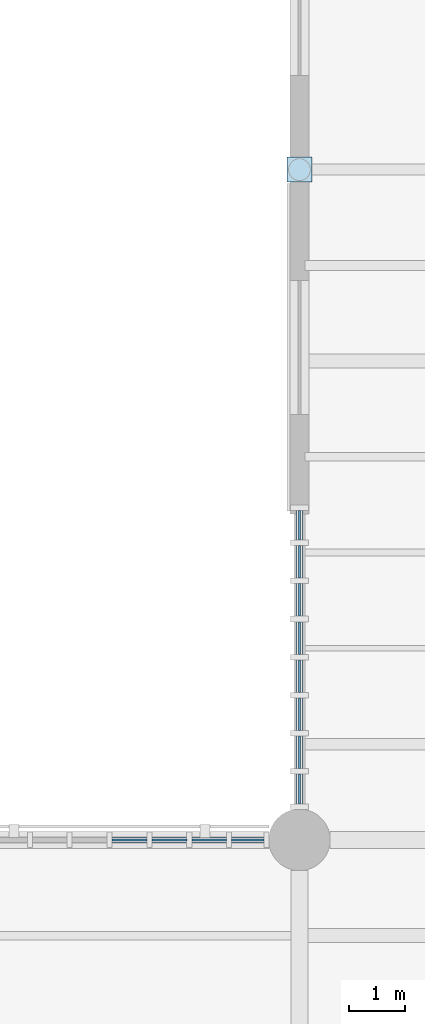
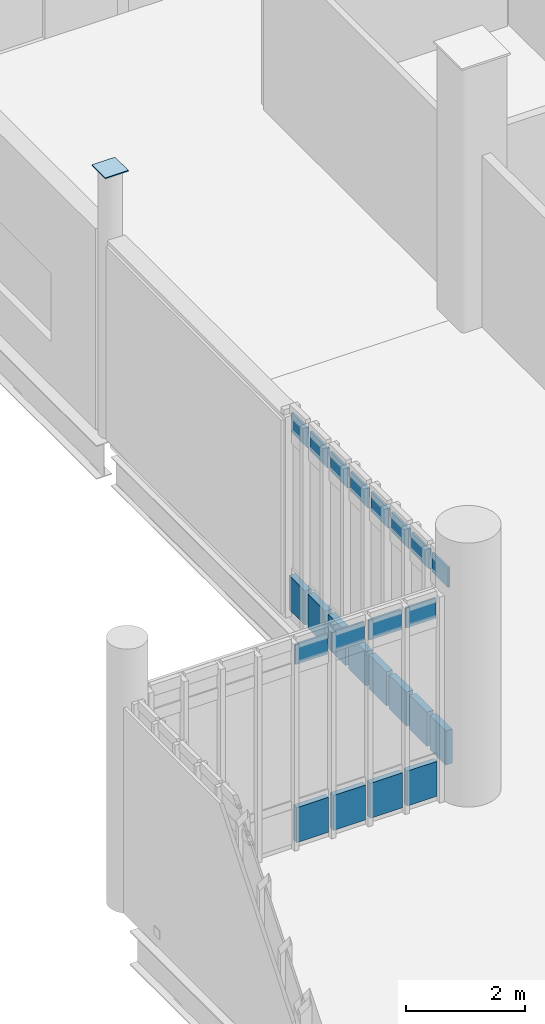
# One storey, part 97 of 135: 25 plates, 2 elements without a shape of their own.
"""IFC4 building model written with IfcOpenShell, lengths in metres."""

import ifcopenshell
import ifcopenshell.guid

model = None  # the IFC model being written
_history = None  # IfcOwnerHistory: only IFC2X3 demands one
_inside = {}  # id of a spatial element -> (the spatial element, [elements in it])
_under = {}  # id of a project, library or spatial element -> (it, [spatial elements below it])
_declared = {}  # id of a project -> (the project, [libraries it declares])
_typed = {}  # id of a type object -> (the type object, [elements of that type])
_made_of = {}  # id of a material, layer set ... -> (it, [elements and type objects made of it])


def new_model(schema):
    """Start an empty IFC model of exactly this schema.

    Asked for "IFC4X3", IfcOpenShell would pick the latest addendum, in which some entities
    have other attributes; the version numbers below select the first issue.
    IFC2X3 requires an IfcOwnerHistory on every rooted entity: one is made here for all.
    """
    global model, _history
    if schema == "IFC4X3":
        model = ifcopenshell.file(schema_version=(4, 3, 0, 0))
    else:
        model = ifcopenshell.file(schema=schema)
    _inside.clear()
    _under.clear()
    _declared.clear()
    _typed.clear()
    _made_of.clear()
    _history = None
    if model.schema == "IFC2X3":
        org = make("IfcOrganization", Name="unknown")
        user = make(
            "IfcPersonAndOrganization",
            ThePerson=make("IfcPerson", FamilyName="unknown"),
            TheOrganization=org,
        )
        app = make(
            "IfcApplication",
            ApplicationDeveloper=org,
            Version="unknown",
            ApplicationFullName="unknown",
            ApplicationIdentifier="unknown",
        )
        _history = make(
            "IfcOwnerHistory",
            OwningUser=user,
            OwningApplication=app,
            ChangeAction="ADDED",
            CreationDate=0,
        )
    return model


def make(cls, **values):
    """One entity of the class cls with the attributes given. An attribute that is None is left unset."""
    return model.create_entity(
        cls, **{name: value for name, value in values.items() if value is not None}
    )


def rooted(cls, **values):
    """An entity with a GlobalId (a new one), such as an element, a storey or a relation."""
    return make(cls, GlobalId=ifcopenshell.guid.new(), OwnerHistory=_history, **values)


def si_unit(unit_type, name, prefix=None):
    """IfcSIUnit, for example si_unit("LENGTHUNIT", "METRE", prefix="MILLI")."""
    return make("IfcSIUnit", UnitType=unit_type, Prefix=prefix, Name=name)


def assignment(units):
    """IfcUnitAssignment: the units of a project."""
    return None if units is None else make("IfcUnitAssignment", Units=units)


def point(xyz):
    """IfcCartesianPoint."""
    return None if xyz is None else make("IfcCartesianPoint", Coordinates=xyz)


def direction(xyz):
    """IfcDirection."""
    return None if xyz is None else make("IfcDirection", DirectionRatios=xyz)


def frame(location, z_axis=None, x_axis=None):
    """IfcAxis2Placement3D, a coordinate frame: its origin and axes. An axis left out is left unset."""
    return make(
        "IfcAxis2Placement3D",
        Location=point(location),
        Axis=direction(z_axis),
        RefDirection=direction(x_axis),
    )


def frame_2d(location, x_axis=None):
    """IfcAxis2Placement2D, a coordinate frame in the plane: its origin and x axis."""
    return make(
        "IfcAxis2Placement2D", Location=point(location), RefDirection=direction(x_axis)
    )


def origin():
    """The frame at (0, 0, 0) with its axes left unset."""
    return frame((0.0, 0.0, 0.0))


def origin_2d():
    """The frame at (0, 0) in the plane with its x axis left unset."""
    return frame_2d((0.0, 0.0))


def place(relative_to, where):
    """IfcLocalPlacement: puts the frame where relative to a parent placement (None: the world)."""
    return make(
        "IfcLocalPlacement", PlacementRelTo=relative_to, RelativePlacement=where
    )


def context(
    kind, dimensions, precision=None, world=None, true_north=None, identifier=None
):
    """IfcGeometricRepresentationContext, for example the 3D "Model" context."""
    return make(
        "IfcGeometricRepresentationContext",
        ContextIdentifier=identifier,
        ContextType=kind,
        CoordinateSpaceDimension=dimensions,
        Precision=precision,
        WorldCoordinateSystem=world,
        TrueNorth=true_north,
    )


def subcontext(parent, identifier, kind, view, scale=None):
    """IfcGeometricRepresentationSubContext, for example "Body" below "Model"."""
    return make(
        "IfcGeometricRepresentationSubContext",
        ContextIdentifier=identifier,
        ContextType=kind,
        ParentContext=parent,
        TargetScale=scale,
        TargetView=view,
    )


def project(units=None, contexts=None):
    """IfcProject with its units and contexts."""
    return rooted(
        "IfcProject",
        Name="project",
        RepresentationContexts=contexts,
        UnitsInContext=assignment(units),
    )


def spatial(cls, under=None, at=None, **own):
    """A site, building, storey or space (cls), placed at a placement, below another one or the project."""
    s = rooted(cls, ObjectPlacement=at, **own)
    if under is not None:
        _under.setdefault(under.id(), (under, []))[1].append(s)
    return s


def profile(cls, at=None, kind="AREA", **sizes):
    """A parametric profile (cls). Its sizes go by their IFC names, for example OverallWidth=200.0."""
    return make(cls, ProfileType=kind, Position=at, **sizes)


def rectangle(**sizes):
    """IfcRectangleProfileDef."""
    return profile("IfcRectangleProfileDef", **sizes)


def extrude(swept, where, along, depth):
    """IfcExtrudedAreaSolid: the profile swept, set in the frame where, extruded along a direction by depth."""
    return make(
        "IfcExtrudedAreaSolid",
        SweptArea=swept,
        Position=where,
        ExtrudedDirection=direction(along),
        Depth=depth,
    )


def shape(context_of_items, identifier, shape_type, items):
    """IfcShapeRepresentation: the items that make up one representation, for example the "Body"."""
    return make(
        "IfcShapeRepresentation",
        ContextOfItems=context_of_items,
        RepresentationIdentifier=identifier,
        RepresentationType=shape_type,
        Items=items,
    )


def material(Name=None, Category=None):
    """IfcMaterial."""
    return make("IfcMaterial", Name=Name, Category=Category)


def layer(
    of_material, thickness, ventilated=None, Name=None, Category=None, Priority=None
):
    """IfcMaterialLayer: one layer of a wall or slab, of a material (None: an air gap)."""
    return make(
        "IfcMaterialLayer",
        Material=of_material,
        LayerThickness=thickness,
        IsVentilated=ventilated,
        Name=Name,
        Category=Category,
        Priority=Priority,
    )


def layer_set(layers, Name=None):
    """IfcMaterialLayerSet."""
    return make("IfcMaterialLayerSet", MaterialLayers=layers, LayerSetName=Name)


def made_of(thing, what):
    """Note that an element or type object is made of a material, layer set ...; save() writes the relation."""
    if what is not None:
        _made_of.setdefault(what.id(), (what, []))[1].append(thing)
    return thing


def type_object(cls, material=None, **own):
    """A type object (cls), such as IfcWallType, which elements share."""
    return made_of(rooted(cls, **own), material)


def element(
    cls,
    number,
    at=None,
    inside=None,
    cuts=None,
    type_object=None,
    material=None,
    context=None,
    identifier="Body",
    shape_type=None,
    held_by="IfcProductDefinitionShape",
    body=None,
    shapes=None,
    **own,
):
    """One element of the class cls, such as IfcWall. Its Tag is "e" and its number.

    at: its placement. inside: the storey or other place that contains it. cuts: it is an
    opening in that element (IfcRelVoidsElement). A single representation is given by context,
    identifier, shape_type and body (its items); several are given by shapes. held_by: the class
    of the entity that holds the representations. save() writes the other relations.
    """
    e = rooted(cls, Tag="e%d" % number, ObjectPlacement=at, **own)
    if body is not None:
        shapes = [shape(context, identifier, shape_type, body)]
    if shapes is not None:
        e.Representation = make(held_by, Representations=shapes)
    if inside is not None:
        _inside.setdefault(inside.id(), (inside, []))[1].append(e)
    if cuts is not None:
        rooted(
            "IfcRelVoidsElement", RelatingBuildingElement=cuts, RelatedOpeningElement=e
        )
    if type_object is not None:
        _typed.setdefault(type_object.id(), (type_object, []))[1].append(e)
    return made_of(e, material)


def aggregate(whole, parts):
    """IfcRelAggregates: a whole, such as a stair, and the parts it consists of."""
    return rooted("IfcRelAggregates", RelatingObject=whole, RelatedObjects=parts)


def save(model, path):
    """Write the relations noted so far, then the file.

    IfcRelAggregates (storeys below a building ...), IfcRelContainedInSpatialStructure (elements
    in a storey), IfcRelDefinesByType, IfcRelAssociatesMaterial and IfcRelDeclares: one each for
    every whole, place, type object, material and project.
    """
    for whole, parts in _under.values():
        aggregate(whole, parts)
    for where, things in _inside.values():
        rooted(
            "IfcRelContainedInSpatialStructure",
            RelatedElements=things,
            RelatingStructure=where,
        )
    for kind, things in _typed.values():
        rooted("IfcRelDefinesByType", RelatedObjects=things, RelatingType=kind)
    for what, things in _made_of.values():
        rooted("IfcRelAssociatesMaterial", RelatedObjects=things, RelatingMaterial=what)
    for by, libraries in _declared.values():
        rooted("IfcRelDeclares", RelatingContext=by, RelatedDefinitions=libraries)
    model.write(path)


model = new_model("IFC4")

# Units and contexts
model_context = context("Model", 3, precision=1e-05, world=origin(), true_north=direction((0.0, 1.0)))
body_context = subcontext(model_context, "Body", "Model", "MODEL_VIEW")
ifc_project = project(units=[si_unit("LENGTHUNIT", "METRE"), si_unit("AREAUNIT", "SQUARE_METRE"), si_unit("VOLUMEUNIT", "CUBIC_METRE"), si_unit("PLANEANGLEUNIT", "RADIAN"), si_unit("MASSUNIT", "GRAM", prefix="KILO")], contexts=[model_context])

# Site, building, storey
site_placement = place(None, origin())
site = spatial("IfcSite", under=ifc_project, at=site_placement, CompositionType="ELEMENT")
building_placement = place(site_placement, origin())
building = spatial("IfcBuilding", under=site, at=building_placement, Name="Larkvane Passage Sports Hall", CompositionType="ELEMENT")
storey_placement = place(building_placement, frame((0.0, 0.0, 16.800048828125)))
storey = spatial("IfcBuildingStorey", under=building, at=storey_placement, Name="L03", CompositionType="ELEMENT", Elevation=16.800048828125)

# Curtain wall, plates
ifc_material_1 = material(Name="Thermally broken aluminium and low-E glazing", Category="aluminium")
curtain_wall_type_1 = type_object("IfcCurtainWallType", Name="CW-STICK-FOYER", PredefinedType="USERDEFINED", material=ifc_material_1)
curtain_wall_1_placement = place(storey_placement, origin())
curtain_wall_1 = element("IfcCurtainWall", 1, at=curtain_wall_1_placement, inside=storey, type_object=curtain_wall_type_1, Name="Curtain wall CW5-L03-122", ObjectType="STICK CURTAIN WALL", PredefinedType="USERDEFINED")
ifc_material_2 = material(Name="Fire-stopped shadow-box spandrel panel")
ifc_layer_1 = layer(ifc_material_2, 0.10498046875)
ifc_layer_set_1 = layer_set([ifc_layer_1], Name="Fire-stopped shadow-box spandrel panel")
plate_type_1 = type_object("IfcPlateType", Name="CWP-SPD-105", PredefinedType="CURTAIN_PANEL", material=ifc_layer_set_1)
plate_1_placement = place(storey_placement, frame((121.556640625, 51.60009765625, 0.08984375), z_axis=(0.0, 0.0, 1.0), x_axis=(1.0, 0.0, 0.0)))
plate_1 = element("IfcPlate", 2, at=plate_1_placement, type_object=plate_type_1, Name="CW-03 panel 5.1", PredefinedType="CURTAIN_PANEL", context=body_context, shape_type="SweptSolid", body=[
    extrude(rectangle(XDim=0.62353515625, YDim=0.10498046875, at=origin_2d()), origin(), (0.0, 0.0, 1.0), 0.715087890625),
])
plate_2_placement = place(storey_placement, frame((122.270263671875, 51.60009765625, 0.08984375), z_axis=(0.0, 0.0, 1.0), x_axis=(1.0, 0.0, 0.0)))
plate_2 = element("IfcPlate", 3, at=plate_2_placement, type_object=plate_type_1, Name="CW-03 panel 6.1", PredefinedType="CURTAIN_PANEL", context=body_context, shape_type="SweptSolid", body=[
    extrude(rectangle(XDim=0.62353515625, YDim=0.10498046875, at=origin_2d()), origin(), (0.0, 0.0, 1.0), 0.715087890625),
])
plate_3_placement = place(storey_placement, frame((122.983642578125, 51.60009765625, 0.08984375), z_axis=(0.0, 0.0, 1.0), x_axis=(1.0, 0.0, 0.0)))
plate_3 = element("IfcPlate", 4, at=plate_3_placement, type_object=plate_type_1, Name="CW-03 panel 7.1", PredefinedType="CURTAIN_PANEL", context=body_context, shape_type="SweptSolid", body=[
    extrude(rectangle(XDim=0.62353515625, YDim=0.10498046875, at=origin_2d()), origin(), (0.0, 0.0, 1.0), 0.715087890625),
])
plate_4_placement = place(storey_placement, frame((123.6748046875, 51.60009765625, 0.08984375), z_axis=(0.0, 0.0, 1.0), x_axis=(1.0, 0.0, 0.0)))
plate_4 = element("IfcPlate", 5, at=plate_4_placement, type_object=plate_type_1, Name="CW-03 panel 8.1", PredefinedType="CURTAIN_PANEL", context=body_context, shape_type="SweptSolid", body=[
    extrude(rectangle(XDim=0.57861328125, YDim=0.10498046875, at=origin_2d()), origin(), (0.0, 0.0, 1.0), 0.715087890625),
])

curtain_wall_type_2 = type_object("IfcCurtainWallType", Name="CW-CLINIC", PredefinedType="USERDEFINED", material=ifc_material_1)
curtain_wall_2_placement = place(storey_placement, origin())
curtain_wall_2 = element("IfcCurtainWall", 6, at=curtain_wall_2_placement, inside=storey, type_object=curtain_wall_type_2, Name="Curtain wall CW5-L03-123", ObjectType="UNITISED CURTAIN WALL", PredefinedType="USERDEFINED")
ifc_material_3 = material(Name="Deep insulated facade spandrel panel")
ifc_layer_2 = layer(ifc_material_3, 0.125)
ifc_layer_set_2 = layer_set([ifc_layer_2], Name="Deep insulated facade spandrel panel")
plate_type_2 = type_object("IfcPlateType", Name="CWP-SPD-125", PredefinedType="CURTAIN_PANEL", material=ifc_layer_set_2)
plate_5_placement = place(storey_placement, frame((124.60009765625, 52.511962890625, 0.10009765625), z_axis=(0.0, 0.0, 1.0), x_axis=(0.0, 1.0, 0.0)))
plate_5 = element("IfcPlate", 7, at=plate_5_placement, type_object=plate_type_2, Name="CW-05 panel 1.1", PredefinedType="CURTAIN_PANEL", context=body_context, shape_type="SweptSolid", body=[
    extrude(rectangle(XDim=0.53173828125, YDim=0.125, at=origin_2d()), origin(), (0.0, 0.0, 1.0), 0.699951171875),
])
plate_6_placement = place(storey_placement, frame((124.60009765625, 53.168701171875, 0.10009765625), z_axis=(0.0, 0.0, 1.0), x_axis=(0.0, 1.0, 0.0)))
plate_6 = element("IfcPlate", 8, at=plate_6_placement, type_object=plate_type_2, Name="CW-05 panel 2.1", PredefinedType="CURTAIN_PANEL", context=body_context, shape_type="SweptSolid", body=[
    extrude(rectangle(XDim=0.581787109375, YDim=0.125, at=origin_2d()), origin(), (0.0, 0.0, 1.0), 0.699951171875),
])
plate_7_placement = place(storey_placement, frame((124.60009765625, 53.850341796875, 0.10009765625), z_axis=(0.0, 0.0, 1.0), x_axis=(0.0, 1.0, 0.0)))
plate_7 = element("IfcPlate", 9, at=plate_7_placement, type_object=plate_type_2, Name="CW-05 panel 3.1", PredefinedType="CURTAIN_PANEL", context=body_context, shape_type="SweptSolid", body=[
    extrude(rectangle(XDim=0.581787109375, YDim=0.125, at=origin_2d()), origin(), (0.0, 0.0, 1.0), 0.699951171875),
])
plate_8_placement = place(storey_placement, frame((124.60009765625, 54.5322265625, 0.10009765625), z_axis=(0.0, 0.0, 1.0), x_axis=(0.0, 1.0, 0.0)))
plate_8 = element("IfcPlate", 10, at=plate_8_placement, type_object=plate_type_2, Name="CW-05 panel 4.1", PredefinedType="CURTAIN_PANEL", context=body_context, shape_type="SweptSolid", body=[
    extrude(rectangle(XDim=0.581787109375, YDim=0.125, at=origin_2d()), origin(), (0.0, 0.0, 1.0), 0.699951171875),
])
plate_9_placement = place(storey_placement, frame((124.60009765625, 55.2138671875, 0.10009765625), z_axis=(0.0, 0.0, 1.0), x_axis=(0.0, 1.0, 0.0)))
plate_9 = element("IfcPlate", 11, at=plate_9_placement, type_object=plate_type_2, Name="CW-05 panel 5.1", PredefinedType="CURTAIN_PANEL", context=body_context, shape_type="SweptSolid", body=[
    extrude(rectangle(XDim=0.581787109375, YDim=0.125, at=origin_2d()), origin(), (0.0, 0.0, 1.0), 0.699951171875),
])
plate_10_placement = place(storey_placement, frame((124.60009765625, 55.8955078125, 0.10009765625), z_axis=(0.0, 0.0, 1.0), x_axis=(0.0, 1.0, 0.0)))
plate_10 = element("IfcPlate", 12, at=plate_10_placement, type_object=plate_type_2, Name="CW-05 panel 6.1", PredefinedType="CURTAIN_PANEL", context=body_context, shape_type="SweptSolid", body=[
    extrude(rectangle(XDim=0.581787109375, YDim=0.125, at=origin_2d()), origin(), (0.0, 0.0, 1.0), 0.699951171875),
])
plate_11_placement = place(storey_placement, frame((124.60009765625, 56.577392578125, 0.10009765625), z_axis=(0.0, 0.0, 1.0), x_axis=(0.0, 1.0, 0.0)))
plate_11 = element("IfcPlate", 13, at=plate_11_placement, type_object=plate_type_2, Name="CW-05 panel 7.1", PredefinedType="CURTAIN_PANEL", context=body_context, shape_type="SweptSolid", body=[
    extrude(rectangle(XDim=0.581787109375, YDim=0.125, at=origin_2d()), origin(), (0.0, 0.0, 1.0), 0.699951171875),
])
plate_12_placement = place(storey_placement, frame((124.60009765625, 57.234130859375, 0.10009765625), z_axis=(0.0, 0.0, 1.0), x_axis=(0.0, 1.0, 0.0)))
plate_12 = element("IfcPlate", 14, at=plate_12_placement, type_object=plate_type_2, Name="CW-05 panel 8.1", PredefinedType="CURTAIN_PANEL", context=body_context, shape_type="SweptSolid", body=[
    extrude(rectangle(XDim=0.53173828125, YDim=0.125, at=origin_2d()), origin(), (0.0, 0.0, 1.0), 0.699951171875),
])

# Plate
ifc_material_4 = material(Name="High-impact court low-E glazing", Category="glass")
ifc_layer_3 = layer(ifc_material_4, 0.035888671875)
ifc_layer_set_3 = layer_set([ifc_layer_3], Name="High-impact court low-E glazing")
plate_type_3 = type_object("IfcPlateType", Name="CWP-VIS-36", PredefinedType="CURTAIN_PANEL", material=ifc_layer_set_3)
plate_13_placement = place(storey_placement, frame((121.556640625, 51.60009765625, 3.7109375), z_axis=(0.0, 0.0, 1.0), x_axis=(1.0, 0.0, 0.0)))
plate_13 = element("IfcPlate", 15, at=plate_13_placement, type_object=plate_type_3, Name="CW-03 panel 5.3", PredefinedType="CURTAIN_PANEL", context=body_context, shape_type="SweptSolid", body=[
    extrude(rectangle(XDim=0.62353515625, YDim=0.035888671875, at=origin_2d()), origin(), (0.0, 0.0, 1.0), 0.4150390625),
])

plate_14_placement = place(storey_placement, frame((122.270263671875, 51.60009765625, 3.7109375), z_axis=(0.0, 0.0, 1.0), x_axis=(1.0, 0.0, 0.0)))
plate_14 = element("IfcPlate", 16, at=plate_14_placement, type_object=plate_type_3, Name="CW-03 panel 6.3", PredefinedType="CURTAIN_PANEL", context=body_context, shape_type="SweptSolid", body=[
    extrude(rectangle(XDim=0.62353515625, YDim=0.035888671875, at=origin_2d()), origin(), (0.0, 0.0, 1.0), 0.4150390625),
])

plate_15_placement = place(storey_placement, frame((122.983642578125, 51.60009765625, 3.7109375), z_axis=(0.0, 0.0, 1.0), x_axis=(1.0, 0.0, 0.0)))
plate_15 = element("IfcPlate", 17, at=plate_15_placement, type_object=plate_type_3, Name="CW-03 panel 7.3", PredefinedType="CURTAIN_PANEL", context=body_context, shape_type="SweptSolid", body=[
    extrude(rectangle(XDim=0.62353515625, YDim=0.035888671875, at=origin_2d()), origin(), (0.0, 0.0, 1.0), 0.4150390625),
])

plate_16_placement = place(storey_placement, frame((123.6748046875, 51.60009765625, 3.7109375), z_axis=(0.0, 0.0, 1.0), x_axis=(1.0, 0.0, 0.0)))
plate_16 = element("IfcPlate", 18, at=plate_16_placement, type_object=plate_type_3, Name="CW-03 panel 8.3", PredefinedType="CURTAIN_PANEL", context=body_context, shape_type="SweptSolid", body=[
    extrude(rectangle(XDim=0.57861328125, YDim=0.035888671875, at=origin_2d()), origin(), (0.0, 0.0, 1.0), 0.4150390625),
])

aggregate(curtain_wall_1, [plate_1, plate_13, plate_2, plate_14, plate_3, plate_15, plate_4, plate_16])

ifc_material_5 = material(Name="Triple-laminated typhoon glazing", Category="glass")
ifc_layer_4 = layer(ifc_material_5, 0.0419921875)
ifc_layer_set_4 = layer_set([ifc_layer_4], Name="Triple-laminated typhoon glazing")
plate_type_4 = type_object("IfcPlateType", Name="CWP-VIS-42", PredefinedType="CURTAIN_PANEL", material=ifc_layer_set_4)
plate_17_placement = place(storey_placement, frame((124.60009765625, 52.511962890625, 3.716064453125), z_axis=(0.0, 0.0, 1.0), x_axis=(0.0, 1.0, 0.0)))
plate_17 = element("IfcPlate", 19, at=plate_17_placement, type_object=plate_type_4, Name="CW-05 panel 1.3", PredefinedType="CURTAIN_PANEL", context=body_context, shape_type="SweptSolid", body=[
    extrude(rectangle(XDim=0.53173828125, YDim=0.0419921875, at=origin_2d()), origin(), (0.0, 0.0, 1.0), 0.39990234375),
])

plate_18_placement = place(storey_placement, frame((124.60009765625, 53.168701171875, 3.716064453125), z_axis=(0.0, 0.0, 1.0), x_axis=(0.0, 1.0, 0.0)))
plate_18 = element("IfcPlate", 20, at=plate_18_placement, type_object=plate_type_4, Name="CW-05 panel 2.3", PredefinedType="CURTAIN_PANEL", context=body_context, shape_type="SweptSolid", body=[
    extrude(rectangle(XDim=0.581787109375, YDim=0.0419921875, at=origin_2d()), origin(), (0.0, 0.0, 1.0), 0.39990234375),
])

plate_19_placement = place(storey_placement, frame((124.60009765625, 53.850341796875, 3.716064453125), z_axis=(0.0, 0.0, 1.0), x_axis=(0.0, 1.0, 0.0)))
plate_19 = element("IfcPlate", 21, at=plate_19_placement, type_object=plate_type_4, Name="CW-05 panel 3.3", PredefinedType="CURTAIN_PANEL", context=body_context, shape_type="SweptSolid", body=[
    extrude(rectangle(XDim=0.581787109375, YDim=0.0419921875, at=origin_2d()), origin(), (0.0, 0.0, 1.0), 0.39990234375),
])

plate_20_placement = place(storey_placement, frame((124.60009765625, 54.5322265625, 3.716064453125), z_axis=(0.0, 0.0, 1.0), x_axis=(0.0, 1.0, 0.0)))
plate_20 = element("IfcPlate", 22, at=plate_20_placement, type_object=plate_type_4, Name="CW-05 panel 4.3", PredefinedType="CURTAIN_PANEL", context=body_context, shape_type="SweptSolid", body=[
    extrude(rectangle(XDim=0.581787109375, YDim=0.0419921875, at=origin_2d()), origin(), (0.0, 0.0, 1.0), 0.39990234375),
])

plate_21_placement = place(storey_placement, frame((124.60009765625, 55.2138671875, 3.716064453125), z_axis=(0.0, 0.0, 1.0), x_axis=(0.0, 1.0, 0.0)))
plate_21 = element("IfcPlate", 23, at=plate_21_placement, type_object=plate_type_4, Name="CW-05 panel 5.3", PredefinedType="CURTAIN_PANEL", context=body_context, shape_type="SweptSolid", body=[
    extrude(rectangle(XDim=0.581787109375, YDim=0.0419921875, at=origin_2d()), origin(), (0.0, 0.0, 1.0), 0.39990234375),
])

plate_22_placement = place(storey_placement, frame((124.60009765625, 55.8955078125, 3.716064453125), z_axis=(0.0, 0.0, 1.0), x_axis=(0.0, 1.0, 0.0)))
plate_22 = element("IfcPlate", 24, at=plate_22_placement, type_object=plate_type_4, Name="CW-05 panel 6.3", PredefinedType="CURTAIN_PANEL", context=body_context, shape_type="SweptSolid", body=[
    extrude(rectangle(XDim=0.581787109375, YDim=0.0419921875, at=origin_2d()), origin(), (0.0, 0.0, 1.0), 0.39990234375),
])

plate_23_placement = place(storey_placement, frame((124.60009765625, 56.577392578125, 3.716064453125), z_axis=(0.0, 0.0, 1.0), x_axis=(0.0, 1.0, 0.0)))
plate_23 = element("IfcPlate", 25, at=plate_23_placement, type_object=plate_type_4, Name="CW-05 panel 7.3", PredefinedType="CURTAIN_PANEL", context=body_context, shape_type="SweptSolid", body=[
    extrude(rectangle(XDim=0.581787109375, YDim=0.0419921875, at=origin_2d()), origin(), (0.0, 0.0, 1.0), 0.39990234375),
])

plate_24_placement = place(storey_placement, frame((124.60009765625, 57.234130859375, 3.716064453125), z_axis=(0.0, 0.0, 1.0), x_axis=(0.0, 1.0, 0.0)))
plate_24 = element("IfcPlate", 26, at=plate_24_placement, type_object=plate_type_4, Name="CW-05 panel 8.3", PredefinedType="CURTAIN_PANEL", context=body_context, shape_type="SweptSolid", body=[
    extrude(rectangle(XDim=0.53173828125, YDim=0.0419921875, at=origin_2d()), origin(), (0.0, 0.0, 1.0), 0.39990234375),
])

aggregate(curtain_wall_2, [plate_5, plate_17, plate_6, plate_18, plate_7, plate_19, plate_8, plate_20, plate_9, plate_21, plate_10, plate_22, plate_11, plate_23, plate_12, plate_24])

ifc_material_6 = material(Name="Steel S460N", Category="steel")
ifc_layer_5 = layer(ifc_material_6, 0.02001953125)
ifc_layer_set_5 = layer_set([ifc_layer_5], Name="Steel S460N")
plate_type_5 = type_object("IfcPlateType", Name="PLT-CAP-20", PredefinedType="SHEET", material=ifc_layer_set_5)
plate_25_placement = place(storey_placement, frame((124.60009765625, 63.60009765625, 5.39990234375), z_axis=(0.0, 0.0, 1.0), x_axis=(1.0, 0.0, 0.0)))
element("IfcPlate", 27, at=plate_25_placement, inside=storey, type_object=plate_type_5, Name="Hollow section sealed end cap plate 0025", PredefinedType="SHEET", context=body_context, shape_type="SweptSolid", body=[
    extrude(rectangle(XDim=0.446044921875, YDim=0.446044921875, at=origin_2d()), origin(), (0.0, 0.0, 1.0), 0.02001953125),
])

save(model, "model.ifc")
